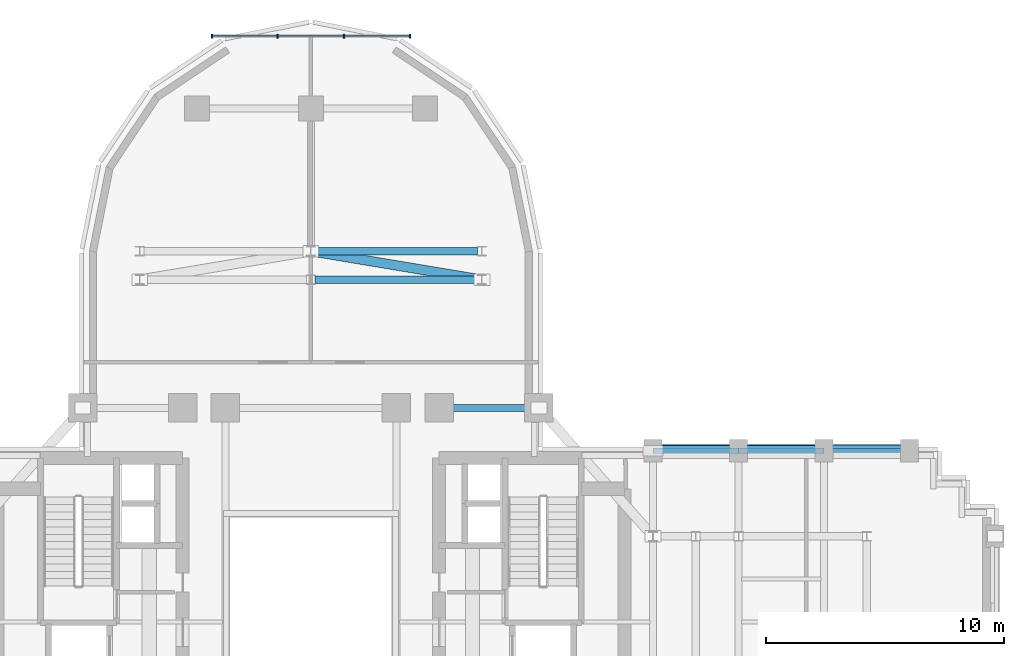
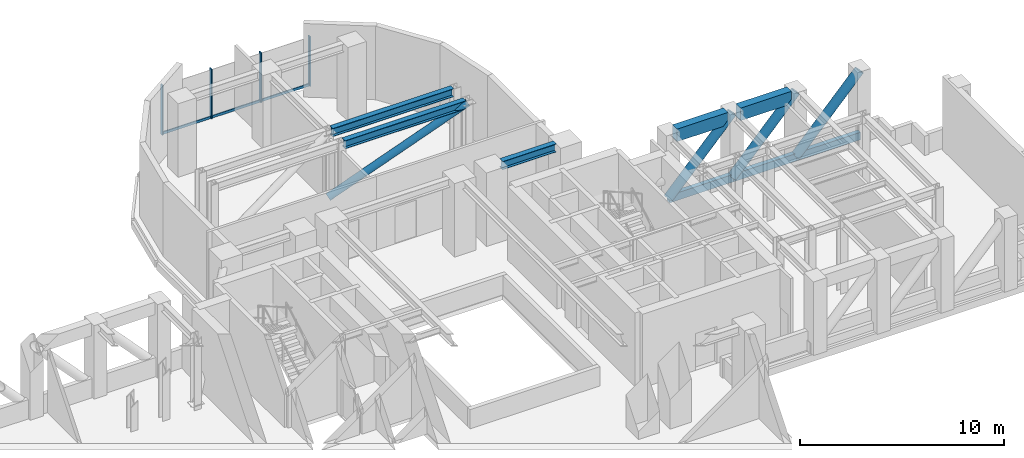
# One storey, part 7 of 15: 14 members, 5 beams, 1 element without a shape of its own.
"""IFC4 building model written with IfcOpenShell, lengths in metres."""

from ifc_helpers import new_model, si_unit, direction, frame, origin, origin_2d, place, context, subcontext, project, spatial, rectangle, hollow_rectangle, hollow_circle, i_section, extrude, source, transform, mapped, material, material_profile, profile_set, type_object, element, aggregate, save


model = new_model("IFC4")

# Units and contexts
model_context = context("Model", 3, precision=1e-05, world=origin(), true_north=direction((0.0, 1.0)))
body_context = subcontext(model_context, "Body", "Model", "MODEL_VIEW")
ifc_project = project(units=[si_unit("LENGTHUNIT", "METRE"), si_unit("AREAUNIT", "SQUARE_METRE"), si_unit("VOLUMEUNIT", "CUBIC_METRE"), si_unit("PLANEANGLEUNIT", "RADIAN"), si_unit("MASSUNIT", "GRAM", prefix="KILO")], contexts=[model_context])

# Site, building, storey
site_placement = place(None, origin())
site = spatial("IfcSite", under=ifc_project, at=site_placement, CompositionType="ELEMENT")
building_placement = place(site_placement, origin())
building = spatial("IfcBuilding", under=site, at=building_placement, Name="Keilestroom Media Tower", CompositionType="ELEMENT")
storey_placement = place(building_placement, frame((0.0, 0.0, 88.39990234375)))
storey = spatial("IfcBuildingStorey", under=building, at=storey_placement, Name="L23", CompositionType="ELEMENT", Elevation=88.39990234375)

# Beams
ifc_material_1 = material(Name="Precast concrete C40/50", Category="concrete")
ifc_material_profile_1 = material_profile(ifc_material_1, rectangle(XDim=0.449951171875, YDim=0.75, at=origin_2d()), Name="PC 450x750")
ifc_profile_set_1 = profile_set([ifc_material_profile_1], Name="Precast concrete C40/50")
beam_type_1 = type_object("IfcBeamType", Name="Perimeter-Spandrel-Beam-PC-450x750", PredefinedType="SPANDREL", material=ifc_profile_set_1)
shared_shape_1 = source(origin(), body_context, "Body", "SweptSolid", [
    extrude(rectangle(XDim=0.449951171875, YDim=0.75, at=origin_2d()), origin(), (0.0, 0.0, 1.0), 2.89013671875),
])
for number, where, z_axis, x_axis, name in (
    (1, (14.7548828125, 7.199951171875, 4.025146484375), (1.0, 0.0, 0.0), (0.0, 1.0, 0.0), "L23 Beam SPB-1 BM-L23-EW-030"),
    (2, (18.35498046875, 7.199951171875, 4.025146484375), (1.0, 0.0, 0.0), (0.0, 1.0, 0.0), "L23 Beam SPB-1 BM-L23-EW-031"),
):
    element("IfcBeam", number, at=place(storey_placement, frame(where, z_axis=z_axis, x_axis=x_axis)), inside=storey, type_object=beam_type_1, Name=name, PredefinedType="SPANDREL", context=body_context, shape_type="MappedRepresentation", body=[
        mapped(shared_shape_1, transform((0.0, 0.0, 0.0), x_axis=(1.0, 0.0, 0.0), y_axis=(0.0, 1.0, 0.0), z_axis=(0.0, 0.0, 1.0), scale=1.0)),
    ])
ifc_material_2 = material(Name="Steel S355", Category="steel")
ifc_material_profile_2 = material_profile(ifc_material_2, i_section(OverallWidth=0.300048828125, OverallDepth=0.489990234375, WebThickness=0.011962890625, FlangeThickness=0.02294921875, at=origin_2d()), Name="HEA 500")
ifc_profile_set_2 = profile_set([ifc_material_profile_2], Name="Steel S355")
beam_type_2 = type_object("IfcBeamType", Name="Primary-Structural-Girder-HEA-500", PredefinedType="BEAM", material=ifc_profile_set_2)
shared_shape_2 = source(origin(), body_context, "Body", "SweptSolid", [
    extrude(i_section(OverallWidth=0.300048828125, OverallDepth=0.489990234375, WebThickness=0.011962890625, FlangeThickness=0.02294921875, at=origin_2d()), origin(), (0.0, 0.0, 1.0), 6.836181640625),
])
for number, where, z_axis, x_axis, name in (
    (3, (0.181884765625, 14.39990234375, 4.155029296875), (1.0, 0.0, 0.0), (0.0, 1.0, 0.0), "L23 Beam BG-10 BM-L23-EW-038"),
    (4, (0.181884765625, 15.60009765625, 4.155029296875), (1.0, 0.0, 0.0), (0.0, 1.0, 0.0), "L23 Beam BG-10 BM-L23-EW-040"),
):
    element("IfcBeam", number, at=place(storey_placement, frame(where, z_axis=z_axis, x_axis=x_axis)), inside=storey, type_object=beam_type_2, Name=name, PredefinedType="BEAM", context=body_context, shape_type="MappedRepresentation", body=[
        mapped(shared_shape_2, transform((0.0, 0.0, 0.0), x_axis=(1.0, 0.0, 0.0), y_axis=(0.0, 1.0, 0.0), z_axis=(0.0, 0.0, 1.0), scale=1.0)),
    ])
shared_shape_3 = source(origin(), body_context, "Body", "SweptSolid", [
    extrude(i_section(OverallWidth=0.300048828125, OverallDepth=0.489990234375, WebThickness=0.011962890625, FlangeThickness=0.02294921875, at=origin_2d()), origin(), (0.0, 0.0, 1.0), 3.0400390625),
])
beam_placement = place(storey_placement, frame((5.97998046875, 9.0, 4.155029296875), z_axis=(1.0, 0.0, 0.0), x_axis=(0.0, 1.0, 0.0)))
element("IfcBeam", 5, at=beam_placement, inside=storey, type_object=beam_type_2, Name="L23 Beam BG-10 BM-L23-EW-036", PredefinedType="BEAM", context=body_context, shape_type="MappedRepresentation", body=[
    mapped(shared_shape_3, transform((0.0, 0.0, 0.0), x_axis=(1.0, 0.0, 0.0), y_axis=(0.0, 1.0, 0.0), z_axis=(0.0, 0.0, 1.0), scale=1.0)),
])

# Members
ifc_material_3 = material(Name="Steel S460", Category="steel")
ifc_material_profile_3 = material_profile(ifc_material_3, hollow_rectangle(XDim=0.25, YDim=0.449951171875, WallThickness=0.01611328125, at=origin_2d()), Name="RHS 450x250x16")
ifc_profile_set_3 = profile_set([ifc_material_profile_3], Name="Steel S460")
member_type_1 = type_object("IfcMemberType", Name="Transfer-And-Belt-Truss-Chord-RHS-450x250x16", PredefinedType="CHORD", material=ifc_profile_set_3)
shared_shape_4 = source(origin(), body_context, "Body", "SweptSolid", [
    extrude(hollow_rectangle(XDim=0.25, YDim=0.449951171875, WallThickness=0.01611328125, at=origin_2d()), origin(), (0.0, 0.0, 1.0), 3.60009765625),
])
for number, where, z_axis, x_axis, name in (
    (6, (14.39990234375, 7.199951171875, 0.280029296875), (1.0, 0.0, 0.0), (0.0, 1.0, 0.0), "L23 Outrigger OT-L23-EN Chord 1"),
    (7, (18.0, 7.199951171875, 0.280029296875), (1.0, 0.0, 0.0), (0.0, 1.0, 0.0), "L23 Outrigger OT-L23-EN Chord 2"),
):
    element("IfcMember", number, at=place(storey_placement, frame(where, z_axis=z_axis, x_axis=x_axis)), inside=storey, type_object=member_type_1, Name=name, PredefinedType="CHORD", context=body_context, shape_type="MappedRepresentation", body=[
        mapped(shared_shape_4, transform((0.0, 0.0, 0.0), x_axis=(1.0, 0.0, 0.0), y_axis=(0.0, 1.0, 0.0), z_axis=(0.0, 0.0, 1.0), scale=1.0)),
    ])
ifc_material_profile_4 = material_profile(ifc_material_3, hollow_circle(Radius=0.25390625, WallThickness=0.02001953125, at=origin_2d()), Name="CHS 508x20")
ifc_profile_set_4 = profile_set([ifc_material_profile_4], Name="Steel S460")
member_type_2 = type_object("IfcMemberType", Name="Outrigger-And-Belt-Brace-CHS-508x20", PredefinedType="BRACE", material=ifc_profile_set_4)
shared_shape_5 = source(origin(), body_context, "Body", "SweptSolid", [
    extrude(hollow_circle(Radius=0.25390625, WallThickness=0.02001953125, at=origin_2d()), origin(), (0.0, 0.0, 1.0), 5.28564453125),
])
for number, where, z_axis, x_axis, name in (
    (8, (14.39990234375, 7.199951171875, 0.280029296875), (0.681102790765, 0.0, 0.732187809522), (0.0, 1.0, 0.0), "L23 Outrigger OT-L23-EN Brace 1"),
    (9, (18.0, 7.199951171875, 0.280029296875), (0.681102790765, 0.0, 0.732187809522), (0.0, 1.0, 0.0), "L23 Outrigger OT-L23-EN Brace 2"),
    (10, (21.60009765625, 7.199951171875, 0.280029296875), (0.681078027728, 0.0, 0.732210844051), (0.0, 1.0, 0.0), "L23 Outrigger OT-L23-EN Brace 3"),
):
    element("IfcMember", number, at=place(storey_placement, frame(where, z_axis=z_axis, x_axis=x_axis)), inside=storey, type_object=member_type_2, Name=name, PredefinedType="BRACE", context=body_context, shape_type="MappedRepresentation", body=[
        mapped(shared_shape_5, transform((0.0, 0.0, 0.0), x_axis=(1.0, 0.0, 0.0), y_axis=(0.0, 1.0, 0.0), z_axis=(0.0, 0.0, 1.0), scale=1.0)),
    ])
shared_shape_6 = source(origin(), body_context, "Body", "SweptSolid", [
    extrude(hollow_rectangle(XDim=0.25, YDim=0.449951171875, WallThickness=0.01611328125, at=origin_2d()), origin(), (0.0, 0.0, 1.0), 3.599853515625),
])
member_1_placement = place(storey_placement, frame((21.60009765625, 7.199951171875, 0.280029296875), z_axis=(1.0, 0.0, 0.0), x_axis=(0.0, 1.0, 0.0)))
element("IfcMember", 11, at=member_1_placement, inside=storey, type_object=member_type_1, Name="L23 Outrigger OT-L23-EN Chord 3", PredefinedType="CHORD", context=body_context, shape_type="MappedRepresentation", body=[
    mapped(shared_shape_6, transform((0.0, 0.0, 0.0), x_axis=(1.0, 0.0, 0.0), y_axis=(0.0, 1.0, 0.0), z_axis=(0.0, 0.0, 1.0), scale=1.0)),
])
ifc_material_profile_5 = material_profile(ifc_material_3, hollow_circle(Radius=0.203125, WallThickness=0.01611328125, at=origin_2d()), Name="CHS 406.4x16")
ifc_profile_set_5 = profile_set([ifc_material_profile_5], Name="Steel S460")
member_type_3 = type_object("IfcMemberType", Name="Outrigger-And-Belt-Brace-CHS-406x16", PredefinedType="BRACE", material=ifc_profile_set_5)
shared_shape_7 = source(origin(), body_context, "Body", "SweptSolid", [
    extrude(hollow_circle(Radius=0.203125, WallThickness=0.01611328125, at=origin_2d()), origin(), (0.0, 0.0, 1.0), 8.26171875),
])
member_2_placement = place(storey_placement, frame((0.0, 15.60009765625, 0.280029296875), z_axis=(0.871473390591, -0.145270190504, 0.468434308353), x_axis=(0.16442610654, 0.986389403576, 0.0)))
element("IfcMember", 12, at=member_2_placement, inside=storey, type_object=member_type_3, Name="L23 Belt Truss Brace BN2", PredefinedType="BRACE", context=body_context, shape_type="MappedRepresentation", body=[
    mapped(shared_shape_7, transform((0.0, 0.0, 0.0), x_axis=(1.0, 0.0, 0.0), y_axis=(0.0, 1.0, 0.0), z_axis=(0.0, 0.0, 1.0), scale=1.0)),
])

# Curtain wall, members
ifc_material_4 = material(Name="Anodised Aluminium Alloy", Category="aluminium")
curtain_wall_type = type_object("IfcCurtainWallType", Name="Unitised-Curtain-Wall-CW-6", PredefinedType="NOTDEFINED", material=ifc_material_4)
curtain_wall_placement = place(storey_placement, origin())
curtain_wall = element("IfcCurtainWall", 13, at=curtain_wall_placement, inside=storey, type_object=curtain_wall_type, Name="L23 Curtain Wall CW-6 CW-L23-N", PredefinedType="NOTDEFINED")
ifc_material_profile_6 = material_profile(ifc_material_4, rectangle(XDim=0.06494140625, YDim=0.14990234375, at=origin_2d()), Name="ALU TRANSOM 65x150")
ifc_profile_set_6 = profile_set([ifc_material_profile_6], Name="Anodised Aluminium Alloy")
member_type_4 = type_object("IfcMemberType", Name="Curtain-Wall-Transom-CW-6", PredefinedType="USERDEFINED", material=ifc_profile_set_6)
shared_shape_8 = source(origin(), body_context, "Body", "SweptSolid", [
    extrude(rectangle(XDim=0.06494140625, YDim=0.14990234375, at=origin_2d()), origin(), (0.0, 0.0, 1.0), 2.70654296875),
])
member_3_placement = place(storey_placement, frame((-4.136962890625, 24.64990234375, 0.0751953125), z_axis=(1.0, 0.0, 0.0), x_axis=(0.0, 1.0, 0.0)))
member_3 = element("IfcMember", 14, at=member_3_placement, type_object=member_type_4, Name="CW-6 Transom 00.1", ObjectType="TRANSOM", PredefinedType="USERDEFINED", context=body_context, shape_type="MappedRepresentation", body=[
    mapped(shared_shape_8, transform((0.0, 0.0, 0.0), x_axis=(1.0, 0.0, 0.0), y_axis=(0.0, 1.0, 0.0), z_axis=(0.0, 0.0, 1.0), scale=1.0)),
])
member_4_placement = place(storey_placement, frame((1.430419921875, 24.64990234375, 0.0751953125), z_axis=(1.0, 0.0, 0.0), x_axis=(0.0, 1.0, 0.0)))
member_4 = element("IfcMember", 15, at=member_4_placement, type_object=member_type_4, Name="CW-6 Transom 02.1", ObjectType="TRANSOM", PredefinedType="USERDEFINED", context=body_context, shape_type="MappedRepresentation", body=[
    mapped(shared_shape_8, transform((0.0, 0.0, 0.0), x_axis=(1.0, 0.0, 0.0), y_axis=(0.0, 1.0, 0.0), z_axis=(0.0, 0.0, 1.0), scale=1.0)),
])
shared_shape_9 = source(origin(), body_context, "Body", "SweptSolid", [
    extrude(rectangle(XDim=0.06494140625, YDim=0.14990234375, at=origin_2d()), origin(), (0.0, 0.0, 1.0), 2.73876953125),
])
member_5_placement = place(storey_placement, frame((-1.369384765625, 24.64990234375, 0.0751953125), z_axis=(1.0, 0.0, 0.0), x_axis=(0.0, 1.0, 0.0)))
member_5 = element("IfcMember", 16, at=member_5_placement, type_object=member_type_4, Name="CW-6 Transom 01.1", ObjectType="TRANSOM", PredefinedType="USERDEFINED", context=body_context, shape_type="MappedRepresentation", body=[
    mapped(shared_shape_9, transform((0.0, 0.0, 0.0), x_axis=(1.0, 0.0, 0.0), y_axis=(0.0, 1.0, 0.0), z_axis=(0.0, 0.0, 1.0), scale=1.0)),
])
ifc_material_profile_7 = material_profile(ifc_material_4, rectangle(XDim=0.06494140625, YDim=0.179931640625, at=origin_2d()), Name="ALU MULLION 65x180")
ifc_profile_set_7 = profile_set([ifc_material_profile_7], Name="Anodised Aluminium Alloy")
member_type_5 = type_object("IfcMemberType", Name="Curtain-Wall-Mullion-CW-6", PredefinedType="MULLION", material=ifc_profile_set_7)
shared_shape_10 = source(origin(), body_context, "Body", "SweptSolid", [
    extrude(rectangle(XDim=0.06494140625, YDim=0.179931640625, at=origin_2d()), origin(), (0.0, 0.0, 1.0), 2.97998046875),
])
member_6_placement = place(storey_placement, frame((-4.16748046875, 24.64990234375, 0.0), z_axis=(0.0, 0.0, 1.0), x_axis=(1.0, 0.0, 0.0)))
member_6 = element("IfcMember", 17, at=member_6_placement, type_object=member_type_5, Name="CW-6 Mullion 00", PredefinedType="MULLION", context=body_context, shape_type="MappedRepresentation", body=[
    mapped(shared_shape_10, transform((0.0, 0.0, 0.0), x_axis=(1.0, 0.0, 0.0), y_axis=(0.0, 1.0, 0.0), z_axis=(0.0, 0.0, 1.0), scale=1.0)),
])
member_7_placement = place(storey_placement, frame((-1.39990234375, 24.64990234375, 0.0), z_axis=(0.0, 0.0, 1.0), x_axis=(1.0, 0.0, 0.0)))
member_7 = element("IfcMember", 18, at=member_7_placement, type_object=member_type_5, Name="CW-6 Mullion 01", PredefinedType="MULLION", context=body_context, shape_type="MappedRepresentation", body=[
    mapped(shared_shape_10, transform((0.0, 0.0, 0.0), x_axis=(1.0, 0.0, 0.0), y_axis=(0.0, 1.0, 0.0), z_axis=(0.0, 0.0, 1.0), scale=1.0)),
])
member_8_placement = place(storey_placement, frame((1.39990234375, 24.64990234375, 0.0), z_axis=(0.0, 0.0, 1.0), x_axis=(1.0, 0.0, 0.0)))
member_8 = element("IfcMember", 19, at=member_8_placement, type_object=member_type_5, Name="CW-6 Mullion 02", PredefinedType="MULLION", context=body_context, shape_type="MappedRepresentation", body=[
    mapped(shared_shape_10, transform((0.0, 0.0, 0.0), x_axis=(1.0, 0.0, 0.0), y_axis=(0.0, 1.0, 0.0), z_axis=(0.0, 0.0, 1.0), scale=1.0)),
])
member_9_placement = place(storey_placement, frame((4.16748046875, 24.64990234375, 0.0), z_axis=(0.0, 0.0, 1.0), x_axis=(1.0, 0.0, 0.0)))
member_9 = element("IfcMember", 20, at=member_9_placement, type_object=member_type_5, Name="CW-6 Mullion 03", PredefinedType="MULLION", context=body_context, shape_type="MappedRepresentation", body=[
    mapped(shared_shape_10, transform((0.0, 0.0, 0.0), x_axis=(1.0, 0.0, 0.0), y_axis=(0.0, 1.0, 0.0), z_axis=(0.0, 0.0, 1.0), scale=1.0)),
])
aggregate(curtain_wall, [member_6, member_7, member_8, member_9, member_3, member_5, member_4])

save(model, "model.ifc")
